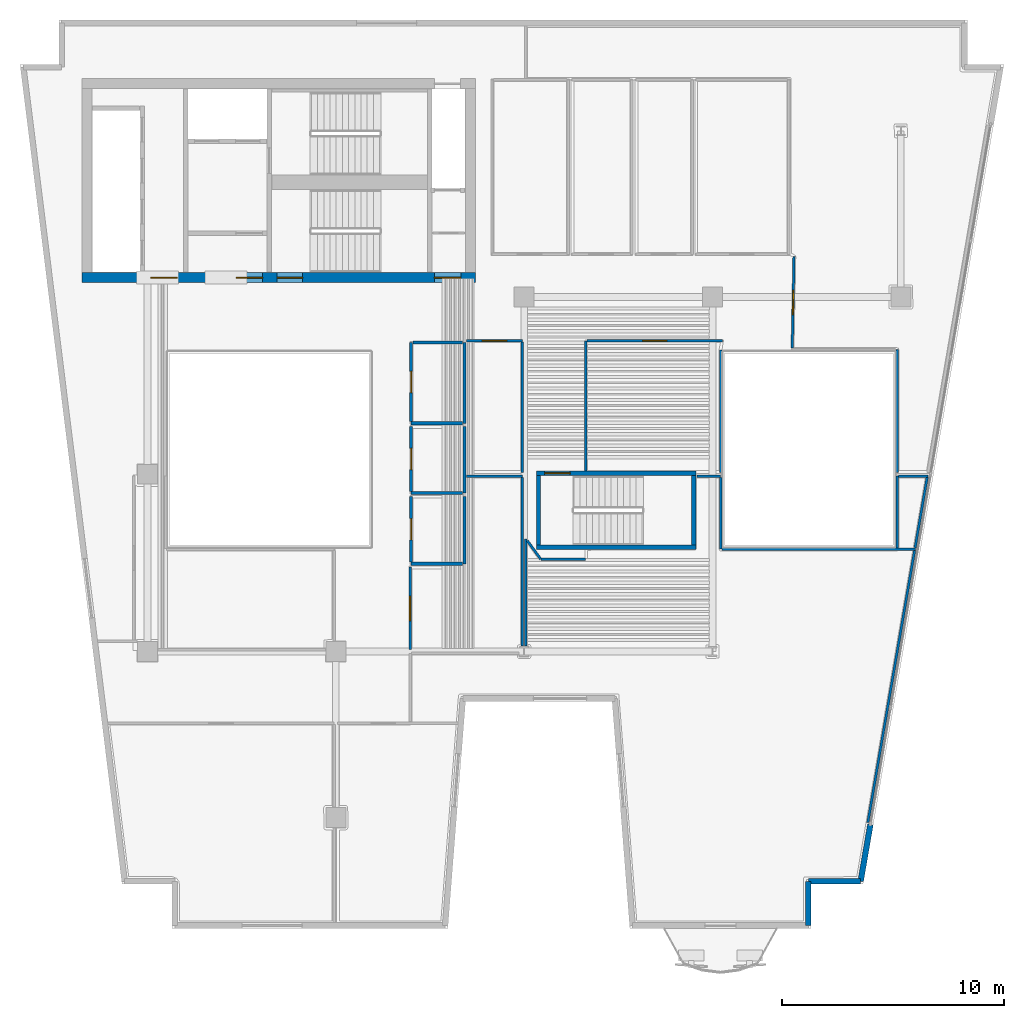
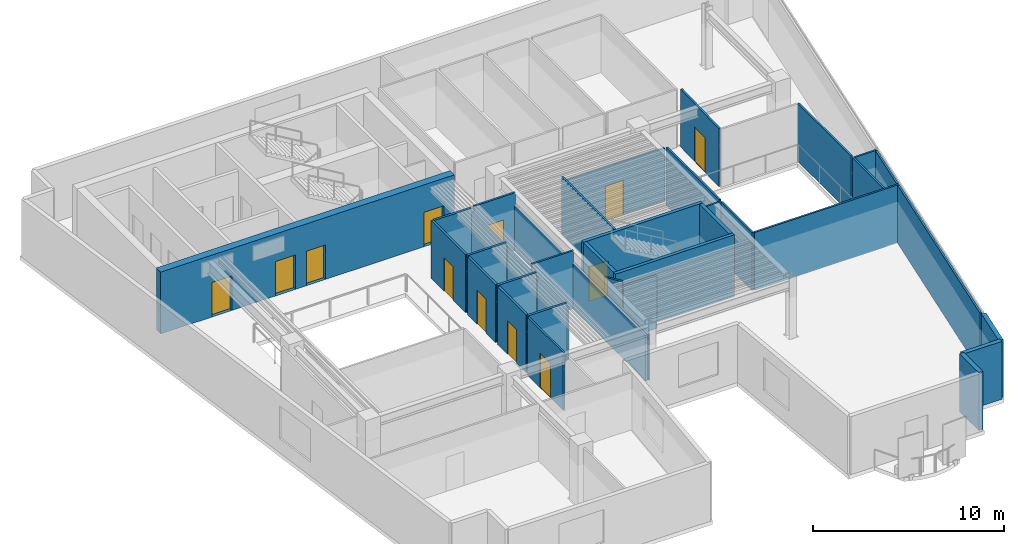
# One storey, part 4 of 10: 38 walls, 12 doors, 12 openings.
"""IFC4 building model written with IfcOpenShell, lengths in metres."""

from ifc_helpers import new_model, si_unit, direction, frame, frame_2d, origin, place, context, subcontext, project, spatial, rectangle, extrude, material, layer, layer_set, type_object, element, fill, save


model = new_model("IFC4")

# Units and contexts
model_context = context("Model", 3, precision=1e-05, world=origin(), true_north=direction((0.0, 1.0)))
body_context = subcontext(model_context, "Body", "Model", "MODEL_VIEW")
ifc_project = project(units=[si_unit("LENGTHUNIT", "METRE"), si_unit("AREAUNIT", "SQUARE_METRE"), si_unit("VOLUMEUNIT", "CUBIC_METRE"), si_unit("PLANEANGLEUNIT", "RADIAN"), si_unit("MASSUNIT", "GRAM", prefix="KILO")], contexts=[model_context])

# Site, building, storey
site_placement = place(None, origin())
site = spatial("IfcSite", under=ifc_project, at=site_placement, CompositionType="ELEMENT")
building_placement = place(site_placement, origin())
building = spatial("IfcBuilding", under=site, at=building_placement, Name="Caeloran Harvest Quay", CompositionType="ELEMENT")
storey_placement = place(building_placement, frame((0.0, 0.0, 187.699951171875)))
storey = spatial("IfcBuildingStorey", under=building, at=storey_placement, Name="L44", CompositionType="ELEMENT", Elevation=187.699951171875)

# Walls
ifc_material_1 = material(Name="Precast concrete C50/60", Category="concrete")
ifc_layer_1 = layer(ifc_material_1, 0.260009765625, Name="Precast concrete C50/60")
ifc_layer_set_1 = layer_set([ifc_layer_1], Name="Precast concrete C50/60")
wall_type_1 = type_object("IfcWallType", Name="ENV-WALL-EW-260", PredefinedType="STANDARD", material=ifc_layer_set_1)
wall_1_placement = place(storey_placement, frame((41.127685546875, 7.1923828125, 0.0), z_axis=(0.0, 0.0, 1.0), x_axis=(-0.169391215599, -0.98554889076, 0.0)))
element("IfcWall", 1, at=wall_1_placement, inside=storey, type_object=wall_type_1, Name="L44 Exterior Facade Corner Pier Wall 9B", PredefinedType="STANDARD", context=body_context, shape_type="SweptSolid", body=[
    extrude(rectangle(XDim=2.60009765625, YDim=0.260009765625, at=frame_2d((1.300048828125, 0.0))), origin(), (0.0, 0.0, 1.0), 3.699951171875),
])
wall_2_placement = place(storey_placement, frame((40.687255859375, 4.6298828125, 0.0), z_axis=(0.0, 0.0, 1.0), x_axis=(-1.0, 0.0, 0.0)))
element("IfcWall", 2, at=wall_2_placement, inside=storey, type_object=wall_type_1, Name="L44 Exterior Precast Concrete Facade Wall 10", PredefinedType="STANDARD", context=body_context, shape_type="SweptSolid", body=[
    extrude(rectangle(XDim=2.3642578125, YDim=0.260009765625, at=frame_2d((1.18212890625, 0.0))), origin(), (0.0, 0.0, 1.0), 3.699951171875),
])
wall_3_placement = place(storey_placement, frame((38.322998046875, 4.6298828125, 0.0), z_axis=(0.0, 0.0, 1.0), x_axis=(0.0, -1.0, 0.0)))
element("IfcWall", 3, at=wall_3_placement, inside=storey, type_object=wall_type_1, Name="L44 Exterior Precast Concrete Facade Wall 11", PredefinedType="STANDARD", context=body_context, shape_type="SweptSolid", body=[
    extrude(rectangle(XDim=2.0, YDim=0.260009765625, at=frame_2d((1.0, 0.0))), origin(), (0.0, 0.0, 1.0), 3.699951171875),
])
ifc_material_2 = material(Name="Single-Stud Acoustic Gypsum Office Partition", Category="gypsum")
ifc_layer_2 = layer(ifc_material_2, 0.112060546875, Name="Single-Stud Acoustic Gypsum Office Partition")
ifc_layer_set_2 = layer_set([ifc_layer_2], Name="Single-Stud Acoustic Gypsum Office Partition")
wall_type_2 = type_object("IfcWallType", Name="INT-WALL-PW-112", PredefinedType="PARTITIONING", material=ifc_layer_set_2)
wall_4_placement = place(storey_placement, frame((25.580078125, 15.248046875, 0.0), z_axis=(0.0, 0.0, 1.0), x_axis=(0.0, 1.0, 0.0)))
element("IfcWall", 4, at=wall_4_placement, inside=storey, type_object=wall_type_2, Name="Commodities Research Office Partition Wall", PredefinedType="PARTITIONING", context=body_context, shape_type="SweptSolid", body=[
    extrude(rectangle(XDim=4.8388671875, YDim=0.112060546875, at=frame_2d((2.41943359375, 0.0))), origin(), (0.0, 0.0, 1.0), 2.885009765625),
])
wall_5_placement = place(storey_placement, frame((25.64111328125, 20.003173828125, 0.0), z_axis=(0.0, 0.0, 1.0), x_axis=(0.588143517869, -0.808756577957, 0.0)))
element("IfcWall", 5, at=wall_5_placement, inside=storey, type_object=wall_type_2, Name="Commodities Research Office Partition Wall", PredefinedType="PARTITIONING", context=body_context, shape_type="SweptSolid", body=[
    extrude(rectangle(XDim=1.0302734375, YDim=0.112060546875, at=frame_2d((0.51513671875, 0.0))), origin(), (0.0, 0.0, 1.0), 3.699951171875),
])
wall_6_placement = place(storey_placement, frame((26.255615234375, 19.169921875, 0.0), z_axis=(0.0, 0.0, 1.0), x_axis=(1.0, 0.0, 0.0)))
element("IfcWall", 6, at=wall_6_placement, inside=storey, type_object=wall_type_2, Name="Commodities Research Office Partition Wall", PredefinedType="PARTITIONING", context=body_context, shape_type="SweptSolid", body=[
    extrude(rectangle(XDim=2.0244140625, YDim=0.112060546875, at=frame_2d((1.01220703125, 0.0))), origin(), (0.0, 0.0, 1.0), 3.385009765625),
])
wall_7_placement = place(storey_placement, frame((33.310791015625, 22.919921875, 0.0), z_axis=(0.0, 0.0, 1.0), x_axis=(1.0, 0.0, 0.0)))
element("IfcWall", 7, at=wall_7_placement, inside=storey, type_object=wall_type_2, Name="Commodities Research Office Partition Wall", PredefinedType="PARTITIONING", context=body_context, shape_type="SweptSolid", body=[
    extrude(rectangle(XDim=1.059326171875, YDim=0.112060546875, at=frame_2d((0.52978515625, 0.0))), origin(), (0.0, 0.0, 1.0), 3.699951171875),
])
wall_8_placement = place(storey_placement, frame((34.3701171875, 22.85888671875, 0.0), z_axis=(0.0, 0.0, 1.0), x_axis=(0.0, -1.0, 0.0)))
element("IfcWall", 8, at=wall_8_placement, inside=storey, type_object=wall_type_2, Name="Commodities Research Office Partition Wall", PredefinedType="PARTITIONING", context=body_context, shape_type="SweptSolid", body=[
    extrude(rectangle(XDim=3.23876953125, YDim=0.112060546875, at=frame_2d((1.619384765625, 0.0))), origin(), (0.0, 0.0, 1.0), 3.699951171875),
])
wall_9_placement = place(storey_placement, frame((34.430908203125, 19.6201171875, 0.0), z_axis=(0.0, 0.0, 1.0), x_axis=(1.0, 0.0, 0.0)))
element("IfcWall", 9, at=wall_9_placement, inside=storey, type_object=wall_type_2, Name="Commodities Research Office Partition Wall", PredefinedType="PARTITIONING", context=body_context, shape_type="SweptSolid", body=[
    extrude(rectangle(XDim=8.72607421875, YDim=0.112060546875, at=frame_2d((4.363037109375, 0.0))), origin(), (0.0, 0.0, 1.0), 3.699951171875),
])
wall_10_placement = place(storey_placement, frame((42.330078125, 19.680908203125, 0.0), z_axis=(0.0, 0.0, 1.0), x_axis=(0.0, 1.0, 0.0)))
element("IfcWall", 10, at=wall_10_placement, inside=storey, type_object=wall_type_2, Name="Commodities Research Office Partition Wall", PredefinedType="PARTITIONING", context=body_context, shape_type="SweptSolid", body=[
    extrude(rectangle(XDim=3.239013671875, YDim=0.112060546875, at=frame_2d((1.61962890625, 0.0))), origin(), (0.0, 0.0, 1.0), 3.699951171875),
])
wall_11_placement = place(storey_placement, frame((42.39111328125, 22.919921875, 0.0), z_axis=(0.0, 0.0, 1.0), x_axis=(1.0, 0.0, 0.0)))
element("IfcWall", 11, at=wall_11_placement, inside=storey, type_object=wall_type_2, Name="Commodities Research Office Partition Wall", PredefinedType="PARTITIONING", context=body_context, shape_type="SweptSolid", body=[
    extrude(rectangle(XDim=1.333251953125, YDim=0.112060546875, at=frame_2d((0.66650390625, 0.0))), origin(), (0.0, 0.0, 1.0), 3.699951171875),
])
wall_12_placement = place(storey_placement, frame((43.6884765625, 22.85888671875, 0.0), z_axis=(0.0, 0.0, 1.0), x_axis=(-0.169369383288, -0.985552642939, 0.0)))
element("IfcWall", 12, at=wall_12_placement, inside=storey, type_object=wall_type_2, Name="Commodities Research Office Partition Wall", PredefinedType="PARTITIONING", context=body_context, shape_type="SweptSolid", body=[
    extrude(rectangle(XDim=3.224609375, YDim=0.112060546875, at=frame_2d((1.6123046875, 0.0))), origin(), (0.0, 0.0, 1.0), 3.699951171875),
])
wall_13_placement = place(storey_placement, frame((43.121337890625, 19.55908203125, 0.0), z_axis=(0.0, 0.0, 1.0), x_axis=(-0.169383185032, -0.98555027098, 0.0)))
element("IfcWall", 13, at=wall_13_placement, inside=storey, type_object=wall_type_2, Name="Commodities Research Office Partition Wall", PredefinedType="PARTITIONING", context=body_context, shape_type="SweptSolid", body=[
    extrude(rectangle(XDim=12.45751953125, YDim=0.112060546875, at=frame_2d((6.228759765625, 0.0))), origin(), (0.0, 0.0, 1.0), 3.699951171875),
])
wall_14_placement = place(storey_placement, frame((22.909912109375, 22.919921875, 0.0), z_axis=(0.0, 0.0, 1.0), x_axis=(1.0, 0.0, 0.0)))
element("IfcWall", 14, at=wall_14_placement, inside=storey, type_object=wall_type_2, Name="Managing Director Corner Office Partition Wall", PredefinedType="PARTITIONING", context=body_context, shape_type="SweptSolid", body=[
    extrude(rectangle(XDim=2.510009765625, YDim=0.112060546875, at=frame_2d((1.2548828125, 0.0))), origin(), (0.0, 0.0, 1.0), 3.699951171875),
])
wall_15_placement = place(storey_placement, frame((25.419921875, 22.85888671875, 0.0), z_axis=(0.0, 0.0, 1.0), x_axis=(0.0, -1.0, 0.0)))
element("IfcWall", 15, at=wall_15_placement, inside=storey, type_object=wall_type_2, Name="Managing Director Corner Office Partition Wall", PredefinedType="PARTITIONING", context=body_context, shape_type="SweptSolid", body=[
    extrude(rectangle(XDim=7.61083984375, YDim=0.112060546875, at=frame_2d((3.805419921875, 0.0))), origin(), (0.0, 0.0, 1.0), 2.885009765625),
])

# Wall, opening, door
wall_16_placement = place(storey_placement, frame((20.35009765625, 15.080078125, 0.0), z_axis=(0.0, 0.0, 1.0), x_axis=(0.0, 1.0, 0.0)))
wall_16 = element("IfcWall", 16, at=wall_16_placement, inside=storey, type_object=wall_type_2, Name="Managing Director Corner Office Partition Wall", PredefinedType="PARTITIONING", context=body_context, shape_type="SweptSolid", body=[
    extrude(rectangle(XDim=3.72998046875, YDim=0.112060546875, at=frame_2d((1.864990234375, 0.0))), origin(), (0.0, 0.0, 1.0), 3.699951171875),
])
opening_1_placement = place(wall_16_placement, frame((1.31494140625, 0.0, 0.0)))
opening_1 = element("IfcOpeningElement", 17, at=opening_1_placement, cuts=wall_16, Name="Opening ID-04", PredefinedType="OPENING", context=body_context, shape_type="SweptSolid", body=[
    extrude(rectangle(XDim=1.10009765625, YDim=2.199951171875, at=frame_2d((0.550048828125, 1.10009765625))), frame((0.0, 0.06591796875, 0.0), z_axis=(0.0, -1.0, 0.0), x_axis=(1.0, 0.0, 0.0)), (0.0, 0.0, 1.0), 0.132080078125),
])
ifc_material_3 = material(Name="Acoustic Walnut Veneer Executive Door", Category="wood")
door_type_1 = type_object("IfcDoorType", Name="INTDOOR-ID-04", OperationType="NOTDEFINED", PredefinedType="DOOR", material=ifc_material_3)
door_1_placement = place(opening_1_placement, origin())
door_1 = element("IfcDoor", 18, at=door_1_placement, inside=storey, type_object=door_type_1, Name="Managing Director Corner Office Access Door", OperationType="SINGLE_SWING_RIGHT", OverallHeight=2.199951171875, OverallWidth=1.10009765625, PredefinedType="DOOR", context=body_context, shape_type="SweptSolid", body=[
    extrude(rectangle(XDim=1.10009765625, YDim=2.199951171875, at=frame_2d((0.550048828125, 1.10009765625))), frame((0.0, 0.02490234375, 0.0), z_axis=(0.0, -1.0, 0.0), x_axis=(1.0, 0.0, 0.0)), (0.0, 0.0, 1.0), 0.050048828125),
])
fill(opening_1, door_1)

wall_17_placement = place(storey_placement, frame((22.909912109375, 29.02001953125, 0.0), z_axis=(0.0, 0.0, 1.0), x_axis=(1.0, 0.0, 0.0)))
wall_17 = element("IfcWall", 19, at=wall_17_placement, inside=storey, type_object=wall_type_2, Name="Harbour View Boardroom Partition Wall", PredefinedType="PARTITIONING", context=body_context, shape_type="SweptSolid", body=[
    extrude(rectangle(XDim=2.510009765625, YDim=0.112060546875, at=frame_2d((1.2548828125, 0.0))), origin(), (0.0, 0.0, 1.0), 3.699951171875),
])
opening_2_placement = place(wall_17_placement, frame((0.705078125, 0.0, 0.0)))
opening_2 = element("IfcOpeningElement", 20, at=opening_2_placement, cuts=wall_17, Name="Opening ID-04", PredefinedType="OPENING", context=body_context, shape_type="SweptSolid", body=[
    extrude(rectangle(XDim=1.10009765625, YDim=2.199951171875, at=frame_2d((0.550048828125, 1.10009765625))), frame((0.0, 0.06591796875, 0.0), z_axis=(0.0, -1.0, 0.0), x_axis=(1.0, 0.0, 0.0)), (0.0, 0.0, 1.0), 0.132080078125),
])
door_2_placement = place(opening_2_placement, origin())
door_2 = element("IfcDoor", 21, at=door_2_placement, inside=storey, type_object=door_type_1, Name="Harbour View Boardroom Access Door", OperationType="SINGLE_SWING_LEFT", OverallHeight=2.199951171875, OverallWidth=1.10009765625, PredefinedType="DOOR", context=body_context, shape_type="SweptSolid", body=[
    extrude(rectangle(XDim=1.10009765625, YDim=2.199951171875, at=frame_2d((0.550048828125, 1.10009765625))), frame((0.0, 0.02490234375, 0.0), z_axis=(0.0, -1.0, 0.0), x_axis=(1.0, 0.0, 0.0)), (0.0, 0.0, 1.0), 0.050048828125),
])
fill(opening_2, door_2)

# Walls
wall_18_placement = place(storey_placement, frame((25.419921875, 28.958984375, 0.0), z_axis=(0.0, 0.0, 1.0), x_axis=(0.0, -1.0, 0.0)))
element("IfcWall", 22, at=wall_18_placement, inside=storey, type_object=wall_type_2, Name="Harbour View Boardroom Partition Wall", PredefinedType="PARTITIONING", context=body_context, shape_type="SweptSolid", body=[
    extrude(rectangle(XDim=5.87890625, YDim=0.112060546875, at=frame_2d((2.939453125, 0.0))), origin(), (0.0, 0.0, 1.0), 2.885009765625),
])
wall_19_placement = place(storey_placement, frame((34.3701171875, 28.60009765625, 0.0), z_axis=(0.0, 0.0, 1.0), x_axis=(0.0, -1.0, 0.0)))
element("IfcWall", 23, at=wall_19_placement, inside=storey, type_object=wall_type_2, Name="Client Hospitality Lounge Partition Wall", PredefinedType="PARTITIONING", context=body_context, shape_type="SweptSolid", body=[
    extrude(rectangle(XDim=5.52001953125, YDim=0.112060546875, at=frame_2d((2.760009765625, 0.0))), origin(), (0.0, 0.0, 1.0), 3.699951171875),
])
wall_20_placement = place(storey_placement, frame((28.280029296875, 23.155029296875, 0.0), z_axis=(0.0, 0.0, 1.0), x_axis=(0.0, 1.0, 0.0)))
element("IfcWall", 24, at=wall_20_placement, inside=storey, type_object=wall_type_2, Name="Client Hospitality Lounge Partition Wall", PredefinedType="PARTITIONING", context=body_context, shape_type="SweptSolid", body=[
    extrude(rectangle(XDim=5.864990234375, YDim=0.112060546875, at=frame_2d((2.9326171875, 0.0))), origin(), (0.0, 0.0, 1.0), 3.699951171875),
])

# Wall, opening, door
wall_21_placement = place(storey_placement, frame((28.341064453125, 29.02001953125, 0.0), z_axis=(0.0, 0.0, 1.0), x_axis=(1.0, 0.0, 0.0)))
wall_21 = element("IfcWall", 25, at=wall_21_placement, inside=storey, type_object=wall_type_2, Name="Client Hospitality Lounge Partition Wall", PredefinedType="PARTITIONING", context=body_context, shape_type="SweptSolid", body=[
    extrude(rectangle(XDim=6.11083984375, YDim=0.112060546875, at=frame_2d((3.055419921875, 0.0))), origin(), (0.0, 0.0, 1.0), 3.385009765625),
])
opening_3_placement = place(wall_21_placement, frame((2.505615234375, 0.0, 0.0)))
opening_3 = element("IfcOpeningElement", 26, at=opening_3_placement, cuts=wall_21, Name="Opening ID-04", PredefinedType="OPENING", context=body_context, shape_type="SweptSolid", body=[
    extrude(rectangle(XDim=1.10009765625, YDim=2.199951171875, at=frame_2d((0.550048828125, 1.10009765625))), frame((0.0, 0.06591796875, 0.0), z_axis=(0.0, -1.0, 0.0), x_axis=(1.0, 0.0, 0.0)), (0.0, 0.0, 1.0), 0.132080078125),
])
door_3_placement = place(opening_3_placement, origin())
door_3 = element("IfcDoor", 27, at=door_3_placement, inside=storey, type_object=door_type_1, Name="Client Hospitality Lounge Access Door", OperationType="SINGLE_SWING_RIGHT", OverallHeight=2.199951171875, OverallWidth=1.10009765625, PredefinedType="DOOR", context=body_context, shape_type="SweptSolid", body=[
    extrude(rectangle(XDim=1.10009765625, YDim=2.199951171875, at=frame_2d((0.550048828125, 1.10009765625))), frame((0.0, 0.02490234375, 0.0), z_axis=(0.0, -1.0, 0.0), x_axis=(1.0, 0.0, 0.0)), (0.0, 0.0, 1.0), 0.050048828125),
])
fill(opening_3, door_3)

# Wall
wall_22_placement = place(storey_placement, frame((42.330078125, 23.080078125, 0.0), z_axis=(0.0, 0.0, 1.0), x_axis=(0.0, 1.0, 0.0)))
element("IfcWall", 28, at=wall_22_placement, inside=storey, type_object=wall_type_2, Name="Records Archive Laboratory Partition Wall", PredefinedType="PARTITIONING", context=body_context, shape_type="SweptSolid", body=[
    extrude(rectangle(XDim=5.5498046875, YDim=0.112060546875, at=frame_2d((2.77490234375, 0.0))), origin(), (0.0, 0.0, 1.0), 3.699951171875),
])

# Wall, opening, door
wall_23_placement = place(storey_placement, frame((37.59912109375, 28.69091796875, 0.0), z_axis=(0.0, 0.0, 1.0), x_axis=(0.019566997539, 0.999808547977, 0.0)))
wall_23 = element("IfcWall", 29, at=wall_23_placement, inside=storey, type_object=wall_type_2, Name="Records Archive Laboratory Partition Wall", PredefinedType="PARTITIONING", context=body_context, shape_type="SweptSolid", body=[
    extrude(rectangle(XDim=4.1298828125, YDim=0.112060546875, at=frame_2d((2.06494140625, 0.0))), origin(), (0.0, 0.0, 1.0), 3.699951171875),
])
opening_4_placement = place(wall_23_placement, frame((1.514892578125, 0.0, 0.0)))
opening_4 = element("IfcOpeningElement", 30, at=opening_4_placement, cuts=wall_23, Name="Opening ID-04", PredefinedType="OPENING", context=body_context, shape_type="SweptSolid", body=[
    extrude(rectangle(XDim=1.10009765625, YDim=2.199951171875, at=frame_2d((0.550048828125, 1.10009765625))), frame((0.0, 0.06591796875, 0.0), z_axis=(0.0, -1.0, 0.0), x_axis=(1.0, 0.0, 0.0)), (0.0, 0.0, 1.0), 0.132080078125),
])
door_4_placement = place(opening_4_placement, origin())
door_4 = element("IfcDoor", 31, at=door_4_placement, inside=storey, type_object=door_type_1, Name="Records Archive Laboratory Access Door", OperationType="SINGLE_SWING_LEFT", OverallHeight=2.199951171875, OverallWidth=1.10009765625, PredefinedType="DOOR", context=body_context, shape_type="SweptSolid", body=[
    extrude(rectangle(XDim=1.10009765625, YDim=2.199951171875, at=frame_2d((0.550048828125, 1.10009765625))), frame((0.0, 0.02490234375, 0.0), z_axis=(0.0, -1.0, 0.0), x_axis=(1.0, 0.0, 0.0)), (0.0, 0.0, 1.0), 0.050048828125),
])
fill(opening_4, door_4)

# Walls
ifc_material_4 = material(Name="Moisture-Resistant Cement-Board Sanitary Partition", Category="gypsum")
ifc_layer_3 = layer(ifc_material_4, 0.139892578125, Name="Moisture-Resistant Cement-Board Sanitary Partition")
ifc_layer_set_3 = layer_set([ifc_layer_3], Name="Moisture-Resistant Cement-Board Sanitary Partition")
wall_type_3 = type_object("IfcWallType", Name="INT-WALL-PW-140", PredefinedType="PARTITIONING", material=ifc_layer_set_3)
wall_24_placement = place(storey_placement, frame((22.800048828125, 28.949951171875, 0.0), z_axis=(0.0, 0.0, 1.0), x_axis=(0.0, -1.0, 0.0)))
element("IfcWall", 32, at=wall_24_placement, inside=storey, type_object=wall_type_3, Name="L44 Male Washroom WC Partition Wall", PredefinedType="PARTITIONING", context=body_context, shape_type="SweptSolid", body=[
    extrude(rectangle(XDim=3.64990234375, YDim=0.139892578125, at=frame_2d((1.824951171875, 0.0))), origin(), (0.0, 0.0, 1.0), 3.385009765625),
])
wall_25_placement = place(storey_placement, frame((22.72509765625, 25.300048828125, 0.0), z_axis=(0.0, 0.0, 1.0), x_axis=(-1.0, 0.0, 0.0)))
element("IfcWall", 33, at=wall_25_placement, inside=storey, type_object=wall_type_3, Name="L44 Male Washroom WC Partition Wall", PredefinedType="PARTITIONING", context=body_context, shape_type="SweptSolid", body=[
    extrude(rectangle(XDim=2.3251953125, YDim=0.139892578125, at=frame_2d((1.16259765625, 0.0))), origin(), (0.0, 0.0, 1.0), 3.699951171875),
])

# Wall, opening, door
wall_26_placement = place(storey_placement, frame((20.39990234375, 25.375, 0.0), z_axis=(0.0, 0.0, 1.0), x_axis=(0.0, 1.0, 0.0)))
wall_26 = element("IfcWall", 34, at=wall_26_placement, inside=storey, type_object=wall_type_3, Name="L44 Male Washroom WC Partition Wall", PredefinedType="PARTITIONING", context=body_context, shape_type="SweptSolid", body=[
    extrude(rectangle(XDim=3.574951171875, YDim=0.139892578125, at=frame_2d((1.78759765625, 0.0))), origin(), (0.0, 0.0, 1.0), 3.699951171875),
])
opening_5_placement = place(wall_26_placement, frame((1.3125, 0.0, 0.0)))
opening_5 = element("IfcOpeningElement", 35, at=opening_5_placement, cuts=wall_26, Name="Opening WC-01", PredefinedType="OPENING", context=body_context, shape_type="SweptSolid", body=[
    extrude(rectangle(XDim=0.949951171875, YDim=2.14990234375, at=frame_2d((0.47509765625, 1.074951171875))), frame((0.0, 0.080078125, 0.0), z_axis=(0.0, -1.0, 0.0), x_axis=(1.0, 0.0, 0.0)), (0.0, 0.0, 1.0), 0.159912109375),
])
ifc_material_5 = material(Name="High-Pressure Laminate Moisture-Resistant Timber", Category="wood")
door_type_2 = type_object("IfcDoorType", Name="INTDOOR-WC-01", OperationType="NOTDEFINED", PredefinedType="DOOR", material=ifc_material_5)
door_5_placement = place(opening_5_placement, origin())
door_5 = element("IfcDoor", 36, at=door_5_placement, inside=storey, type_object=door_type_2, Name="L44 Male Washroom WC Access Door", OperationType="SINGLE_SWING_LEFT", OverallHeight=2.14990234375, OverallWidth=0.949951171875, PredefinedType="DOOR", context=body_context, shape_type="SweptSolid", body=[
    extrude(rectangle(XDim=0.949951171875, YDim=2.14990234375, at=frame_2d((0.47509765625, 1.074951171875))), frame((0.0, 0.02490234375, 0.0), z_axis=(0.0, -1.0, 0.0), x_axis=(1.0, 0.0, 0.0)), (0.0, 0.0, 1.0), 0.050048828125),
])
fill(opening_5, door_5)

# Walls
wall_27_placement = place(storey_placement, frame((20.47509765625, 28.949951171875, 0.0), z_axis=(0.0, 0.0, 1.0), x_axis=(1.0, 0.0, 0.0)))
element("IfcWall", 37, at=wall_27_placement, inside=storey, type_object=wall_type_3, Name="L44 Male Washroom WC Partition Wall", PredefinedType="PARTITIONING", context=body_context, shape_type="SweptSolid", body=[
    extrude(rectangle(XDim=2.25, YDim=0.139892578125, at=frame_2d((1.125, 0.0))), origin(), (0.0, 0.0, 1.0), 3.699951171875),
])
wall_28_placement = place(storey_placement, frame((22.800048828125, 25.14990234375, 0.0), z_axis=(0.0, 0.0, 1.0), x_axis=(0.0, -1.0, 0.0)))
element("IfcWall", 38, at=wall_28_placement, inside=storey, type_object=wall_type_3, Name="L44 Female Washroom WC Partition Wall", PredefinedType="PARTITIONING", context=body_context, shape_type="SweptSolid", body=[
    extrude(rectangle(XDim=3.0, YDim=0.139892578125, at=frame_2d((1.5, 0.0))), origin(), (0.0, 0.0, 1.0), 3.385009765625),
])
wall_29_placement = place(storey_placement, frame((22.72509765625, 22.14990234375, 0.0), z_axis=(0.0, 0.0, 1.0), x_axis=(-1.0, 0.0, 0.0)))
element("IfcWall", 39, at=wall_29_placement, inside=storey, type_object=wall_type_3, Name="L44 Female Washroom WC Partition Wall", PredefinedType="PARTITIONING", context=body_context, shape_type="SweptSolid", body=[
    extrude(rectangle(XDim=2.3251953125, YDim=0.139892578125, at=frame_2d((1.16259765625, 0.0))), origin(), (0.0, 0.0, 1.0), 3.699951171875),
])

# Wall, opening, door
wall_30_placement = place(storey_placement, frame((20.39990234375, 22.22509765625, 0.0), z_axis=(0.0, 0.0, 1.0), x_axis=(0.0, 1.0, 0.0)))
wall_30 = element("IfcWall", 40, at=wall_30_placement, inside=storey, type_object=wall_type_3, Name="L44 Female Washroom WC Partition Wall", PredefinedType="PARTITIONING", context=body_context, shape_type="SweptSolid", body=[
    extrude(rectangle(XDim=2.9248046875, YDim=0.139892578125, at=frame_2d((1.46240234375, 0.0))), origin(), (0.0, 0.0, 1.0), 3.699951171875),
])
opening_6_placement = place(wall_30_placement, frame((0.987548828125, 0.0, 0.0)))
opening_6 = element("IfcOpeningElement", 41, at=opening_6_placement, cuts=wall_30, Name="Opening WC-01", PredefinedType="OPENING", context=body_context, shape_type="SweptSolid", body=[
    extrude(rectangle(XDim=0.949951171875, YDim=2.14990234375, at=frame_2d((0.47509765625, 1.074951171875))), frame((0.0, 0.080078125, 0.0), z_axis=(0.0, -1.0, 0.0), x_axis=(1.0, 0.0, 0.0)), (0.0, 0.0, 1.0), 0.159912109375),
])
door_6_placement = place(opening_6_placement, origin())
door_6 = element("IfcDoor", 42, at=door_6_placement, inside=storey, type_object=door_type_2, Name="L44 Female Washroom WC Access Door", OperationType="SINGLE_SWING_RIGHT", OverallHeight=2.14990234375, OverallWidth=0.949951171875, PredefinedType="DOOR", context=body_context, shape_type="SweptSolid", body=[
    extrude(rectangle(XDim=0.949951171875, YDim=2.14990234375, at=frame_2d((0.47509765625, 1.074951171875))), frame((0.0, 0.02490234375, 0.0), z_axis=(0.0, -1.0, 0.0), x_axis=(1.0, 0.0, 0.0)), (0.0, 0.0, 1.0), 0.050048828125),
])
fill(opening_6, door_6)

# Walls
wall_31_placement = place(storey_placement, frame((22.800048828125, 22.0, 0.0), z_axis=(0.0, 0.0, 1.0), x_axis=(0.0, -1.0, 0.0)))
element("IfcWall", 43, at=wall_31_placement, inside=storey, type_object=wall_type_3, Name="L44 Accessible Unisex Washroom WC Partition Wall", PredefinedType="PARTITIONING", context=body_context, shape_type="SweptSolid", body=[
    extrude(rectangle(XDim=3.0400390625, YDim=0.139892578125, at=frame_2d((1.52001953125, 0.0))), origin(), (0.0, 0.0, 1.0), 3.385009765625),
])
wall_32_placement = place(storey_placement, frame((22.72509765625, 18.9599609375, 0.0), z_axis=(0.0, 0.0, 1.0), x_axis=(-1.0, 0.0, 0.0)))
element("IfcWall", 44, at=wall_32_placement, inside=storey, type_object=wall_type_3, Name="L44 Accessible Unisex Washroom WC Partition Wall", PredefinedType="PARTITIONING", context=body_context, shape_type="SweptSolid", body=[
    extrude(rectangle(XDim=2.3251953125, YDim=0.139892578125, at=frame_2d((1.16259765625, 0.0))), origin(), (0.0, 0.0, 1.0), 3.699951171875),
])

# Wall, opening, door
wall_33_placement = place(storey_placement, frame((20.39990234375, 19.034912109375, 0.0), z_axis=(0.0, 0.0, 1.0), x_axis=(0.0, 1.0, 0.0)))
wall_33 = element("IfcWall", 45, at=wall_33_placement, inside=storey, type_object=wall_type_3, Name="L44 Accessible Unisex Washroom WC Partition Wall", PredefinedType="PARTITIONING", context=body_context, shape_type="SweptSolid", body=[
    extrude(rectangle(XDim=2.965087890625, YDim=0.139892578125, at=frame_2d((1.482421875, 0.0))), origin(), (0.0, 0.0, 1.0), 3.699951171875),
])
opening_7_placement = place(wall_33_placement, frame((1.007568359375, 0.0, 0.0)))
opening_7 = element("IfcOpeningElement", 46, at=opening_7_placement, cuts=wall_33, Name="Opening WC-01", PredefinedType="OPENING", context=body_context, shape_type="SweptSolid", body=[
    extrude(rectangle(XDim=0.949951171875, YDim=2.14990234375, at=frame_2d((0.47509765625, 1.074951171875))), frame((0.0, 0.080078125, 0.0), z_axis=(0.0, -1.0, 0.0), x_axis=(1.0, 0.0, 0.0)), (0.0, 0.0, 1.0), 0.159912109375),
])
door_7_placement = place(opening_7_placement, origin())
door_7 = element("IfcDoor", 47, at=door_7_placement, inside=storey, type_object=door_type_2, Name="L44 Accessible Unisex Washroom WC Access Door", OperationType="SINGLE_SWING_LEFT", OverallHeight=2.14990234375, OverallWidth=0.949951171875, PredefinedType="DOOR", context=body_context, shape_type="SweptSolid", body=[
    extrude(rectangle(XDim=0.949951171875, YDim=2.14990234375, at=frame_2d((0.47509765625, 1.074951171875))), frame((0.0, 0.02490234375, 0.0), z_axis=(0.0, -1.0, 0.0), x_axis=(1.0, 0.0, 0.0)), (0.0, 0.0, 1.0), 0.050048828125),
])
fill(opening_7, door_7)

# Wall, openings, doors
ifc_material_6 = material(Name="Concrete C60/75", Category="concrete")
ifc_layer_4 = layer(ifc_material_6, 0.449951171875, Name="Concrete C60/75")
ifc_layer_set_4 = layer_set([ifc_layer_4], Name="Concrete C60/75")
wall_type_4 = type_object("IfcWallType", Name="STR-WALL-CW-450", PredefinedType="SHEAR", material=ifc_layer_set_4)
wall_34_placement = place(storey_placement, frame((5.550048828125, 31.875, 0.0), z_axis=(0.0, 0.0, 1.0), x_axis=(1.0, 0.0, 0.0)))
wall_34 = element("IfcWall", 48, at=wall_34_placement, inside=storey, type_object=wall_type_4, Name="L44 Rear Core Shear Wall S", PredefinedType="SHEAR", context=body_context, shape_type="SweptSolid", body=[
    extrude(rectangle(XDim=17.75, YDim=0.449951171875, at=frame_2d((8.875, 0.0))), origin(), (0.0, 0.0, 1.0), 3.949951171875),
])
opening_8_placement = place(wall_34_placement, frame((3.10009765625, 0.0, 0.0)))
opening_8 = element("IfcOpeningElement", 49, at=opening_8_placement, cuts=wall_34, Name="Opening FD-01", PredefinedType="OPENING", context=body_context, shape_type="SweptSolid", body=[
    extrude(rectangle(XDim=1.199951171875, YDim=2.199951171875, at=frame_2d((0.60009765625, 1.10009765625))), frame((0.0, 0.23486328125, 0.0), z_axis=(0.0, -1.0, 0.0), x_axis=(1.0, 0.0, 0.0)), (0.0, 0.0, 1.0), 0.469970703125),
])
opening_9_placement = place(wall_34_placement, frame((6.949951171875, 0.0, 0.0)))
opening_9 = element("IfcOpeningElement", 50, at=opening_9_placement, cuts=wall_34, Name="Opening FD-01", PredefinedType="OPENING", context=body_context, shape_type="SweptSolid", body=[
    extrude(rectangle(XDim=1.199951171875, YDim=2.199951171875, at=frame_2d((0.60009765625, 1.10009765625))), frame((0.0, 0.23486328125, 0.0), z_axis=(0.0, -1.0, 0.0), x_axis=(1.0, 0.0, 0.0)), (0.0, 0.0, 1.0), 0.469970703125),
])
opening_10_placement = place(wall_34_placement, frame((8.800048828125, 0.0, 0.0)))
opening_10 = element("IfcOpeningElement", 51, at=opening_10_placement, cuts=wall_34, Name="Opening SD-01", PredefinedType="OPENING", context=body_context, shape_type="SweptSolid", body=[
    extrude(rectangle(XDim=1.14990234375, YDim=2.199951171875, at=frame_2d((0.574951171875, 1.10009765625))), frame((0.0, 0.23486328125, 0.0), z_axis=(0.0, -1.0, 0.0), x_axis=(1.0, 0.0, 0.0)), (0.0, 0.0, 1.0), 0.469970703125),
])
opening_11_placement = place(wall_34_placement, frame((15.89990234375, 0.0, 0.0)))
opening_11 = element("IfcOpeningElement", 52, at=opening_11_placement, cuts=wall_34, Name="Opening FD-01", PredefinedType="OPENING", context=body_context, shape_type="SweptSolid", body=[
    extrude(rectangle(XDim=1.199951171875, YDim=2.199951171875, at=frame_2d((0.60009765625, 1.10009765625))), frame((0.0, 0.23486328125, 0.0), z_axis=(0.0, -1.0, 0.0), x_axis=(1.0, 0.0, 0.0)), (0.0, 0.0, 1.0), 0.469970703125),
])
ifc_material_7 = material(Name="Steel", Category="steel")
door_type_3 = type_object("IfcDoorType", Name="INTDOOR-FD-01", OperationType="NOTDEFINED", PredefinedType="DOOR", material=ifc_material_7)
door_8_placement = place(opening_8_placement, origin())
door_8 = element("IfcDoor", 53, at=door_8_placement, inside=storey, type_object=door_type_3, Name="L44 High-Rise Lift Lobby Fire Door", OperationType="SINGLE_SWING_LEFT", OverallHeight=2.199951171875, OverallWidth=1.199951171875, PredefinedType="DOOR", context=body_context, shape_type="SweptSolid", body=[
    extrude(rectangle(XDim=1.199951171875, YDim=2.199951171875, at=frame_2d((0.60009765625, 1.10009765625))), frame((0.0, 0.02490234375, 0.0), z_axis=(0.0, -1.0, 0.0), x_axis=(1.0, 0.0, 0.0)), (0.0, 0.0, 1.0), 0.050048828125),
])
fill(opening_8, door_8)
door_9_placement = place(opening_9_placement, origin())
door_9 = element("IfcDoor", 54, at=door_9_placement, inside=storey, type_object=door_type_3, Name="L44 Firefighting Lobby Vestibule Fire Door", OperationType="SINGLE_SWING_RIGHT", OverallHeight=2.199951171875, OverallWidth=1.199951171875, PredefinedType="DOOR", context=body_context, shape_type="SweptSolid", body=[
    extrude(rectangle(XDim=1.199951171875, YDim=2.199951171875, at=frame_2d((0.60009765625, 1.10009765625))), frame((0.0, 0.02490234375, 0.0), z_axis=(0.0, -1.0, 0.0), x_axis=(1.0, 0.0, 0.0)), (0.0, 0.0, 1.0), 0.050048828125),
])
fill(opening_9, door_9)
door_10_placement = place(opening_11_placement, origin())
door_10 = element("IfcDoor", 55, at=door_10_placement, inside=storey, type_object=door_type_3, Name="L44 Service Lift Lobby Fire Door", OperationType="SINGLE_SWING_RIGHT", OverallHeight=2.199951171875, OverallWidth=1.199951171875, PredefinedType="DOOR", context=body_context, shape_type="SweptSolid", body=[
    extrude(rectangle(XDim=1.199951171875, YDim=2.199951171875, at=frame_2d((0.60009765625, 1.10009765625))), frame((0.0, 0.02490234375, 0.0), z_axis=(0.0, -1.0, 0.0), x_axis=(1.0, 0.0, 0.0)), (0.0, 0.0, 1.0), 0.050048828125),
])
fill(opening_11, door_10)
door_type_4 = type_object("IfcDoorType", Name="INTDOOR-SD-01", OperationType="NOTDEFINED", PredefinedType="DOOR", material=ifc_material_7)
door_11_placement = place(opening_10_placement, origin())
door_11 = element("IfcDoor", 56, at=door_11_placement, inside=storey, type_object=door_type_4, Name="L44 Protected Stair ST-C2 Exit Door", OperationType="SINGLE_SWING_LEFT", OverallHeight=2.199951171875, OverallWidth=1.14990234375, PredefinedType="DOOR", context=body_context, shape_type="SweptSolid", body=[
    extrude(rectangle(XDim=1.14990234375, YDim=2.199951171875, at=frame_2d((0.574951171875, 1.10009765625))), frame((0.0, 0.02490234375, 0.0), z_axis=(0.0, -1.0, 0.0), x_axis=(1.0, 0.0, 0.0)), (0.0, 0.0, 1.0), 0.050048828125),
])
fill(opening_10, door_11)

# Wall
ifc_layer_5 = layer(ifc_material_6, 0.199951171875, Name="Concrete C60/75")
ifc_layer_set_5 = layer_set([ifc_layer_5], Name="Concrete C60/75")
wall_type_5 = type_object("IfcWallType", Name="STR-WALL-SW-200", PredefinedType="SHEAR", material=ifc_layer_set_5)
wall_35_placement = place(storey_placement, frame((26.050048828125, 19.699951171875, 0.0), z_axis=(0.0, 0.0, 1.0), x_axis=(1.0, 0.0, 0.0)))
element("IfcWall", 57, at=wall_35_placement, inside=storey, type_object=wall_type_5, Name="L44 Stair ST-W1 S RC Shaft Shear Wall", PredefinedType="SHEAR", context=body_context, shape_type="SweptSolid", body=[
    extrude(rectangle(XDim=7.199951171875, YDim=0.199951171875, at=frame_2d((3.60009765625, 0.0))), origin(), (0.0, 0.0, 1.0), 3.949951171875),
])

# Wall, opening, door
wall_36_placement = place(storey_placement, frame((26.050048828125, 23.050048828125, 0.0), z_axis=(0.0, 0.0, 1.0), x_axis=(1.0, 0.0, 0.0)))
wall_36 = element("IfcWall", 58, at=wall_36_placement, inside=storey, type_object=wall_type_5, Name="L44 Stair ST-W1 N RC Shaft Shear Wall", PredefinedType="SHEAR", context=body_context, shape_type="SweptSolid", body=[
    extrude(rectangle(XDim=7.199951171875, YDim=0.199951171875, at=frame_2d((3.60009765625, 0.0))), origin(), (0.0, 0.0, 1.0), 3.949951171875),
])
opening_12_placement = place(wall_36_placement, frame((0.3798828125, 0.0, 0.0)))
opening_12 = element("IfcOpeningElement", 59, at=opening_12_placement, cuts=wall_36, Name="Opening SD-01", PredefinedType="OPENING", context=body_context, shape_type="SweptSolid", body=[
    extrude(rectangle(XDim=1.14990234375, YDim=2.199951171875, at=frame_2d((0.574951171875, 1.10009765625))), frame((0.0, 0.10986328125, 0.0), z_axis=(0.0, -1.0, 0.0), x_axis=(1.0, 0.0, 0.0)), (0.0, 0.0, 1.0), 0.219970703125),
])
door_12_placement = place(opening_12_placement, origin())
door_12 = element("IfcDoor", 60, at=door_12_placement, inside=storey, type_object=door_type_4, Name="L44 Protected Exit Stair ST-W1 Fire Door", OperationType="SINGLE_SWING_RIGHT", OverallHeight=2.199951171875, OverallWidth=1.14990234375, PredefinedType="DOOR", context=body_context, shape_type="SweptSolid", body=[
    extrude(rectangle(XDim=1.14990234375, YDim=2.199951171875, at=frame_2d((0.574951171875, 1.10009765625))), frame((0.0, 0.02490234375, 0.0), z_axis=(0.0, -1.0, 0.0), x_axis=(1.0, 0.0, 0.0)), (0.0, 0.0, 1.0), 0.050048828125),
])
fill(opening_12, door_12)

# Walls
for number, where, z_axis, x_axis, name in (
    (61, (26.14990234375, 19.81005859375, 0.0), (0.0, 0.0, 1.0), (0.0, 1.0, 0.0), "L44 Stair ST-W1 W RC Shaft Shear Wall"),
    (62, (33.14990234375, 19.81005859375, 0.0), (0.0, 0.0, 1.0), (0.0, 1.0, 0.0), "L44 Stair ST-W1 E RC Shaft Shear Wall"),
):
    element("IfcWall", number, at=place(storey_placement, frame(where, z_axis=z_axis, x_axis=x_axis)), inside=storey, type_object=wall_type_5, Name=name, PredefinedType="SHEAR", context=body_context, shape_type="SweptSolid", body=[
        extrude(rectangle(XDim=3.1298828125, YDim=0.199951171875, at=frame_2d((1.56494140625, 0.0))), origin(), (0.0, 0.0, 1.0), 3.949951171875),
    ])

save(model, "model.ifc")
